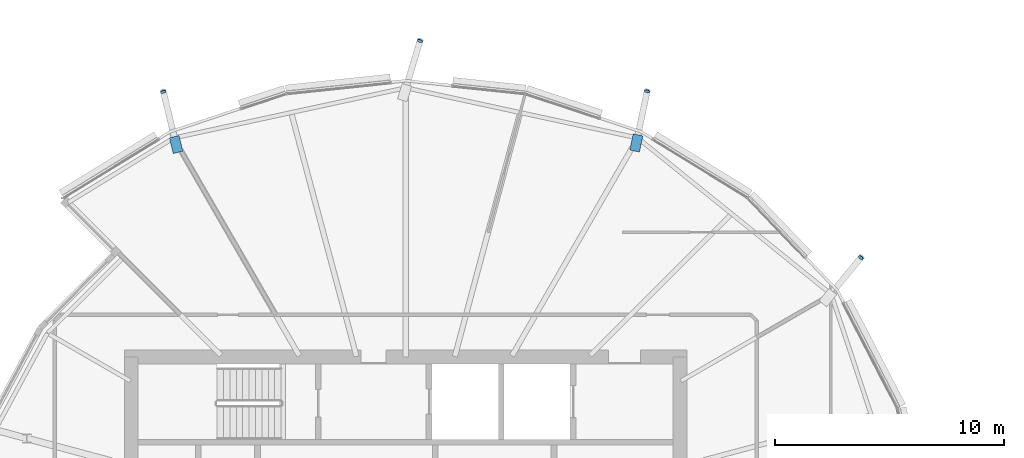
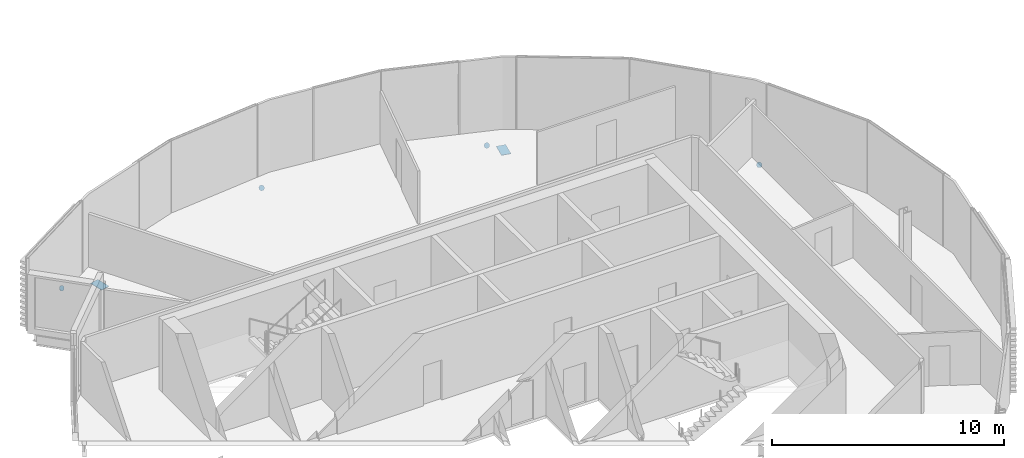
# One storey, part 28 of 37: 6 discrete accessories.
"""IFC4 building model written with IfcOpenShell, lengths in metres."""

from ifc_helpers import new_model, si_unit, direction, frame, origin, origin_2d, place, context, subcontext, project, spatial, polyline, rectangle, circle, outline, extrude, material, material_profile, profile_set, type_object, element, save


model = new_model("IFC4")

# Units and contexts
model_context = context("Model", 3, precision=1e-05, world=origin(), true_north=direction((0.0, 1.0)))
body_context = subcontext(model_context, "Body", "Model", "MODEL_VIEW")
ifc_project = project(units=[si_unit("LENGTHUNIT", "METRE"), si_unit("AREAUNIT", "SQUARE_METRE"), si_unit("VOLUMEUNIT", "CUBIC_METRE"), si_unit("PLANEANGLEUNIT", "RADIAN"), si_unit("MASSUNIT", "GRAM", prefix="KILO")], contexts=[model_context])

# Site, building, storey
site_placement = place(None, origin())
site = spatial("IfcSite", under=ifc_project, at=site_placement, CompositionType="ELEMENT")
building_placement = place(site_placement, origin())
building = spatial("IfcBuilding", under=site, at=building_placement, Name="Rimbun Link Towers", CompositionType="ELEMENT")
storey_placement = place(building_placement, frame((0.0, 0.0, 162.699951171875)))
storey = spatial("IfcBuildingStorey", under=building, at=storey_placement, Name="L39", CompositionType="ELEMENT", Elevation=162.699951171875)

# Discrete accessories
ifc_material_1 = material(Name="Steel S355J2H", Category="steel")
ifc_material_profile_1 = material_profile(ifc_material_1, circle(Radius=0.1240234375, at=origin_2d()), Name="PL D248")
ifc_profile_set_1 = profile_set([ifc_material_profile_1], Name="Steel S355J2H")
discrete_accessory_type_1 = type_object("IfcDiscreteAccessoryType", Name="Link foot sealing plate D248X20", PredefinedType="BRACKET", material=ifc_profile_set_1)
discrete_accessory_1_placement = place(storey_placement, frame((-11.83837890625, 12.34521484375, -1.9345703125), z_axis=(0.549557479085, 0.659468974903, -0.512920313813), x_axis=(-0.768221279597, 0.640184399664, 0.0)))
element("IfcDiscreteAccessory", 1, at=discrete_accessory_1_placement, inside=storey, type_object=discrete_accessory_type_1, Name="Link foot sealing plate T1 L39 02", PredefinedType="BRACKET", context=body_context, shape_type="SweptSolid", body=[
    extrude(circle(Radius=0.1240234375, at=origin_2d()), origin(), (0.0, 0.0, 1.0), 0.02001953125),
])
discrete_accessory_2_placement = place(storey_placement, frame((-21.18994140625, 19.61962890625, -2.0498046875), z_axis=(0.18102533486, 0.856853251673, -0.482734226295), x_axis=(-0.978403328153, 0.206704928483, 0.0)))
element("IfcDiscreteAccessory", 2, at=discrete_accessory_2_placement, inside=storey, type_object=discrete_accessory_type_1, Name="Link foot sealing plate T1 L39 04", PredefinedType="BRACKET", context=body_context, shape_type="SweptSolid", body=[
    extrude(circle(Radius=0.1240234375, at=origin_2d()), origin(), (0.0, 0.0, 1.0), 0.020263671875),
])
discrete_accessory_3_placement = place(storey_placement, frame((-31.124755859375, 21.823974609375, -2.142333984375), z_axis=(0.258276989837, 0.824026586622, -0.504255075395), x_axis=(-0.954226213926, 0.299085828245, 0.0)))
element("IfcDiscreteAccessory", 3, at=discrete_accessory_3_placement, inside=storey, type_object=discrete_accessory_type_1, Name="Link foot sealing plate T1 L39 06", PredefinedType="BRACKET", context=body_context, shape_type="SweptSolid", body=[
    extrude(circle(Radius=0.1240234375, at=origin_2d()), origin(), (0.0, 0.0, 1.0), 0.019775390625),
])
discrete_accessory_4_placement = place(storey_placement, frame((-42.34765625, 19.602783203125, -2.138916015625), z_axis=(-0.195500292296, 0.843095010527, -0.500969499009), x_axis=(-0.974152703704, -0.225890482018, 0.0)))
element("IfcDiscreteAccessory", 4, at=discrete_accessory_4_placement, inside=storey, type_object=discrete_accessory_type_1, Name="Link foot sealing plate T1 L39 08", PredefinedType="BRACKET", context=body_context, shape_type="SweptSolid", body=[
    extrude(circle(Radius=0.1240234375, at=origin_2d()), origin(), (0.0, 0.0, 1.0), 0.02001953125),
])
ifc_material_2 = material(Name="Steel S355J2H", Category="steel")
ifc_material_profile_2 = material_profile(ifc_material_2, rectangle(XDim=0.43310546875, YDim=0.43310546875, at=origin_2d()), Name="PL 433x433")
ifc_profile_set_2 = profile_set([ifc_material_profile_2], Name="Steel S355J2H")
discrete_accessory_type_2 = type_object("IfcDiscreteAccessoryType", Name="Link head end plate 433X20", PredefinedType="BRACKET", material=ifc_profile_set_2)
discrete_accessory_5_placement = place(storey_placement, frame((0.0, 0.0, -0.7724609375)))
element("IfcDiscreteAccessory", 5, at=discrete_accessory_5_placement, inside=storey, type_object=discrete_accessory_type_2, Name="Link head end plate T1 L39 04", PredefinedType="BRACKET", context=body_context, shape_type="SweptSolid", body=[
    extrude(outline(polyline([(-21.5205078125, 16.968994140625), (-21.373291015625, 17.676513671875), (-21.797119140625, 17.7646484375), (-21.9443359375, 17.05712890625), (-21.5205078125, 16.968994140625)])), origin(), (0.0, 0.0, 1.0), 0.02001953125),
])
discrete_accessory_6_placement = place(storey_placement, frame((0.0, 0.0, -0.7724609375)))
element("IfcDiscreteAccessory", 6, at=discrete_accessory_6_placement, inside=storey, type_object=discrete_accessory_type_2, Name="Link head end plate T1 L39 08", PredefinedType="BRACKET", context=body_context, shape_type="SweptSolid", body=[
    extrude(outline(polyline([(-41.49951171875, 17.00537109375), (-41.664794921875, 17.6923828125), (-42.0859375, 17.591064453125), (-41.92041015625, 16.904052734375), (-41.49951171875, 17.00537109375)])), origin(), (0.0, 0.0, 1.0), 0.02001953125),
])

save(model, "model.ifc")
